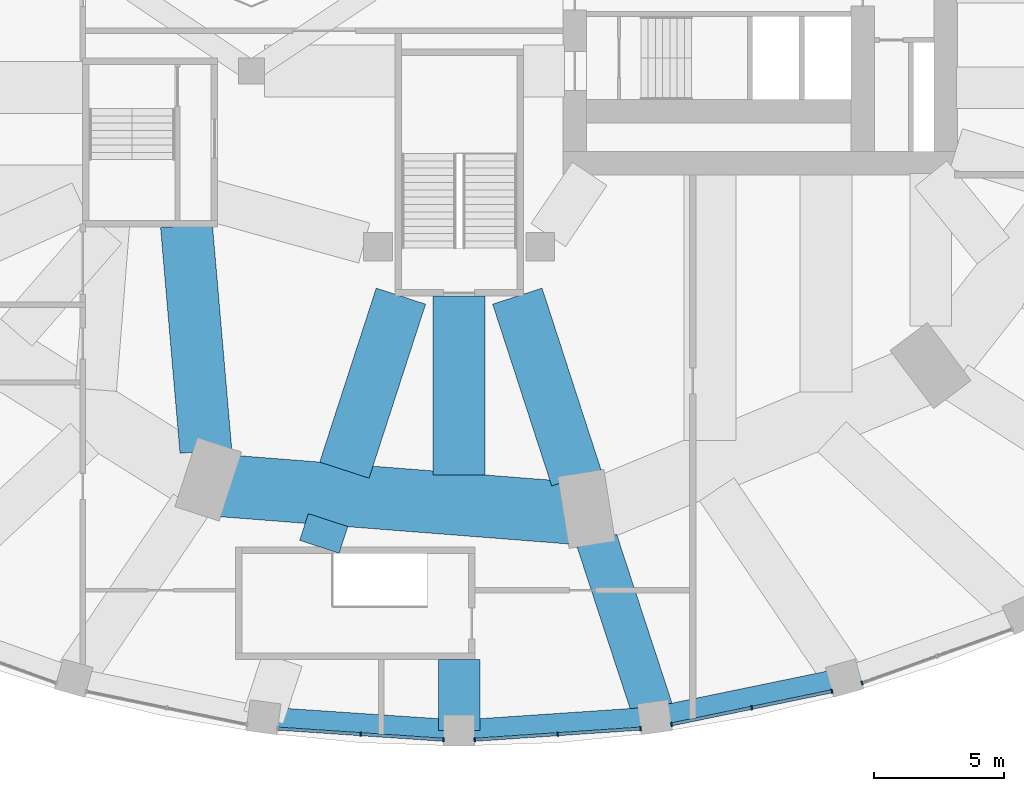
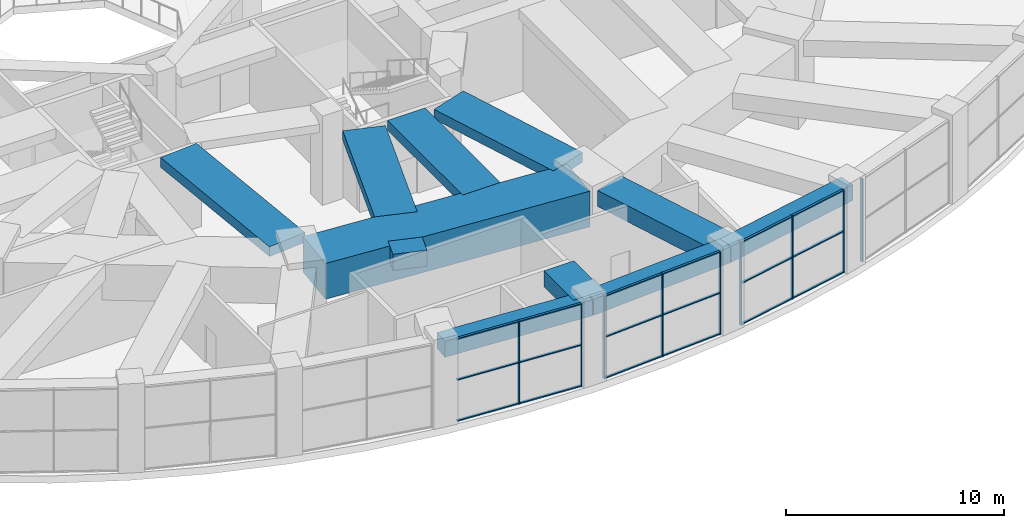
# One storey, part 5 of 30: 27 members, 11 beams, 4 elements without a shape of their own.
"""IFC4 building model written with IfcOpenShell, lengths in metres."""

from ifc_helpers import new_model, si_unit, direction, frame, origin, origin_2d, place, context, subcontext, project, spatial, rectangle, extrude, material, material_profile, profile_set, type_object, element, aggregate, save


model = new_model("IFC4")

# Units and contexts
model_context = context("Model", 3, precision=1e-05, world=origin(), true_north=direction((0.0, 1.0)))
body_context = subcontext(model_context, "Body", "Model", "MODEL_VIEW")
ifc_project = project(units=[si_unit("LENGTHUNIT", "METRE"), si_unit("AREAUNIT", "SQUARE_METRE"), si_unit("VOLUMEUNIT", "CUBIC_METRE"), si_unit("PLANEANGLEUNIT", "RADIAN"), si_unit("MASSUNIT", "GRAM", prefix="KILO")], contexts=[model_context])

# Site, building, storey
site_placement = place(None, origin())
site = spatial("IfcSite", under=ifc_project, at=site_placement, CompositionType="ELEMENT")
building_placement = place(site_placement, origin())
building = spatial("IfcBuilding", under=site, at=building_placement, Name="Taillehof Tower", CompositionType="ELEMENT")
storey_placement = place(building_placement, frame((0.0, 0.0, 12.5)))
storey = spatial("IfcBuildingStorey", under=building, at=storey_placement, Name="L02", CompositionType="ELEMENT", Elevation=12.5)

# Beams
ifc_material_1 = material(Name="Concrete C50/60", Category="concrete")
ifc_material_profile_1 = material_profile(ifc_material_1, rectangle(XDim=0.800048828125, YDim=0.89990234375, at=origin_2d()), Name="RC 800x900")
ifc_profile_set_1 = profile_set([ifc_material_profile_1], Name="Concrete C50/60")
beam_type_1 = type_object("IfcBeamType", Name="Podium edge beam C50/60 800x900", PredefinedType="BEAM", material=ifc_profile_set_1)
for number, where, z_axis, x_axis, name in (
    (1, (-7.536376953125, -32.892578125, 4.199951171875), (0.997741900844, -0.067164717676, 0.0), (0.067164717676, 0.997741900844, 0.0), "Podium edge beam PB27"),
    (2, (0.0, -33.39990234375, 4.199951171875), (0.997741900844, 0.067164717676, 0.0), (-0.067164717676, 0.997741900844, 0.0), "Podium edge beam PB28"),
):
    element("IfcBeam", number, at=place(storey_placement, frame(where, z_axis=z_axis, x_axis=x_axis)), inside=storey, type_object=beam_type_1, Name=name, PredefinedType="BEAM", context=body_context, shape_type="SweptSolid", body=[
        extrude(rectangle(XDim=0.800048828125, YDim=0.89990234375, at=origin_2d()), origin(), (0.0, 0.0, 1.0), 7.553466796875),
    ])
beam_1_placement = place(storey_placement, frame((7.536376953125, -32.892578125, 4.199951171875), z_axis=(0.979394077534, 0.201958512797, 0.0), x_axis=(-0.201958512797, 0.979394077534, 0.0)))
element("IfcBeam", 3, at=beam_1_placement, inside=storey, type_object=beam_type_1, Name="Podium edge beam PB29", PredefinedType="BEAM", context=body_context, shape_type="SweptSolid", body=[
    extrude(rectangle(XDim=0.800048828125, YDim=0.89990234375, at=origin_2d()), origin(), (0.0, 0.0, 1.0), 7.461181640625),
])
ifc_material_2 = material(Name="Concrete C50/60", Category="concrete")
ifc_material_profile_2 = material_profile(ifc_material_2, rectangle(XDim=1.60009765625, YDim=0.89990234375, at=origin_2d()), Name="RC 1600x900")
ifc_profile_set_2 = profile_set([ifc_material_profile_2], Name="Concrete C50/60")
beam_type_2 = type_object("IfcBeamType", Name="Podium radial beam C50/60 1600x900", PredefinedType="BEAM", material=ifc_profile_set_2)
beam_2_placement = place(storey_placement, frame((-5.383544921875, -26.324951171875, 4.199951171875), z_axis=(0.311280012034, 0.950318238333, 0.0), x_axis=(-0.950318238333, 0.311280012034, 0.0)))
element("IfcBeam", 4, at=beam_2_placement, inside=storey, type_object=beam_type_2, Name="Podium radial beam PR27", PredefinedType="BEAM", context=body_context, shape_type="SweptSolid", body=[
    extrude(rectangle(XDim=1.60009765625, YDim=0.89990234375, at=origin_2d()), origin(), (0.0, 0.0, 1.0), 1.08154296875),
])
beam_3_placement = place(storey_placement, frame((0.0, -33.39990234375, 4.199951171875), z_axis=(0.0, 1.0, 0.0), x_axis=(-1.0, 0.0, 0.0)))
element("IfcBeam", 5, at=beam_3_placement, inside=storey, type_object=beam_type_2, Name="Podium radial beam PR28", PredefinedType="BEAM", context=body_context, shape_type="SweptSolid", body=[
    extrude(rectangle(XDim=1.60009765625, YDim=0.89990234375, at=origin_2d()), origin(), (0.0, 0.0, 1.0), 2.724853515625),
])
beam_4_placement = place(storey_placement, frame((7.536376953125, -32.892578125, 4.199951171875), z_axis=(-0.311476972049, 0.9502537008, 0.0), x_axis=(-0.9502537008, -0.311476972049, 0.0)))
element("IfcBeam", 6, at=beam_4_placement, inside=storey, type_object=beam_type_2, Name="Podium radial beam PR29", PredefinedType="BEAM", context=body_context, shape_type="SweptSolid", body=[
    extrude(rectangle(XDim=1.60009765625, YDim=0.89990234375, at=origin_2d()), origin(), (0.0, 0.0, 1.0), 7.159423828125),
])

# Curtain wall, members
ifc_material_3 = material(Name="Aluminium curtain wall with Clear low-emissivity double glazing", Category="aluminium")
curtain_wall_type = type_object("IfcCurtainWallType", Name="Podium window wall curtain wall", PredefinedType="USERDEFINED", material=ifc_material_3)
curtain_wall_1_placement = place(storey_placement, origin())
curtain_wall_1 = element("IfcCurtainWall", 7, at=curtain_wall_1_placement, inside=storey, type_object=curtain_wall_type, Name="Podium window wall L02 bay 27", ObjectType="WINDOW WALL", PredefinedType="USERDEFINED")
ifc_material_4 = material(Name="Aluminium mullion", Category="aluminium")
ifc_material_profile_3 = material_profile(ifc_material_4, rectangle(XDim=0.159912109375, YDim=0.06005859375, at=origin_2d()), Name="AL 60x160")
ifc_profile_set_3 = profile_set([ifc_material_profile_3], Name="Aluminium mullion")
member_type_1 = type_object("IfcMemberType", Name="Podium window wall mullion 60x160", PredefinedType="MULLION", material=ifc_profile_set_3)
member_1_placement = place(storey_placement, frame((-3.795166015625, -33.5439453125, 0.0), z_axis=(0.0, 0.0, 1.0), x_axis=(0.067182989977, 0.997740670644, 0.0)))
member_1 = element("IfcMember", 8, at=member_1_placement, type_object=member_type_1, Name="CT227 mullion 2", PredefinedType="MULLION", context=body_context, shape_type="SweptSolid", body=[
    extrude(rectangle(XDim=0.159912109375, YDim=0.06005859375, at=origin_2d()), origin(), (0.0, 0.0, 1.0), 4.64990234375),
])
member_2_placement = place(storey_placement, frame((-0.60009765625, -33.759033203125, 0.0), z_axis=(0.0, 0.0, 1.0), x_axis=(0.067182989977, 0.997740670644, 0.0)))
member_2 = element("IfcMember", 9, at=member_2_placement, type_object=member_type_1, Name="CT227 mullion 3", PredefinedType="MULLION", context=body_context, shape_type="SweptSolid", body=[
    extrude(rectangle(XDim=0.159912109375, YDim=0.06005859375, at=origin_2d()), origin(), (0.0, 0.0, 1.0), 4.64990234375),
])

curtain_wall_2_placement = place(storey_placement, origin())
curtain_wall_2 = element("IfcCurtainWall", 10, at=curtain_wall_2_placement, inside=storey, type_object=curtain_wall_type, Name="Podium window wall L02 bay 28", ObjectType="WINDOW WALL", PredefinedType="USERDEFINED")
member_3_placement = place(storey_placement, frame((0.60009765625, -33.759033203125, 0.0), z_axis=(0.0, 0.0, 1.0), x_axis=(-0.067182989977, 0.997740670644, 0.0)))
member_3 = element("IfcMember", 11, at=member_3_placement, type_object=member_type_1, Name="CT228 mullion 1", PredefinedType="MULLION", context=body_context, shape_type="SweptSolid", body=[
    extrude(rectangle(XDim=0.159912109375, YDim=0.06005859375, at=origin_2d()), origin(), (0.0, 0.0, 1.0), 4.64990234375),
])
member_4_placement = place(storey_placement, frame((3.795166015625, -33.5439453125, 0.0), z_axis=(0.0, 0.0, 1.0), x_axis=(-0.067182989977, 0.997740670644, 0.0)))
member_4 = element("IfcMember", 12, at=member_4_placement, type_object=member_type_1, Name="CT228 mullion 2", PredefinedType="MULLION", context=body_context, shape_type="SweptSolid", body=[
    extrude(rectangle(XDim=0.159912109375, YDim=0.06005859375, at=origin_2d()), origin(), (0.0, 0.0, 1.0), 4.64990234375),
])
member_5_placement = place(storey_placement, frame((6.990234375, -33.328857421875, 0.0), z_axis=(0.0, 0.0, 1.0), x_axis=(-0.067182989977, 0.997740670644, 0.0)))
member_5 = element("IfcMember", 13, at=member_5_placement, type_object=member_type_1, Name="CT228 mullion 3", PredefinedType="MULLION", context=body_context, shape_type="SweptSolid", body=[
    extrude(rectangle(XDim=0.159912109375, YDim=0.06005859375, at=origin_2d()), origin(), (0.0, 0.0, 1.0), 4.64990234375),
])

curtain_wall_3_placement = place(storey_placement, origin())
curtain_wall_3 = element("IfcCurtainWall", 14, at=curtain_wall_3_placement, inside=storey, type_object=curtain_wall_type, Name="Podium window wall L02 bay 29", ObjectType="WINDOW WALL", PredefinedType="USERDEFINED")
member_6_placement = place(storey_placement, frame((8.17919921875, -33.1669921875, 0.0), z_axis=(0.0, 0.0, 1.0), x_axis=(-0.201976001877, 0.97939047099, 0.0)))
member_6 = element("IfcMember", 15, at=member_6_placement, type_object=member_type_1, Name="CT229 mullion 1", PredefinedType="MULLION", context=body_context, shape_type="SweptSolid", body=[
    extrude(rectangle(XDim=0.159912109375, YDim=0.06005859375, at=origin_2d()), origin(), (0.0, 0.0, 1.0), 4.64990234375),
])
member_7_placement = place(storey_placement, frame((11.27099609375, -32.529296875, 0.0), z_axis=(0.0, 0.0, 1.0), x_axis=(-0.201976001877, 0.97939047099, 0.0)))
member_7 = element("IfcMember", 16, at=member_7_placement, type_object=member_type_1, Name="CT229 mullion 2", PredefinedType="MULLION", context=body_context, shape_type="SweptSolid", body=[
    extrude(rectangle(XDim=0.159912109375, YDim=0.06005859375, at=origin_2d()), origin(), (0.0, 0.0, 1.0), 4.64990234375),
])
member_8_placement = place(storey_placement, frame((14.36279296875, -31.891845703125, 0.0), z_axis=(0.0, 0.0, 1.0), x_axis=(-0.201976001877, 0.97939047099, 0.0)))
member_8 = element("IfcMember", 17, at=member_8_placement, type_object=member_type_1, Name="CT229 mullion 3", PredefinedType="MULLION", context=body_context, shape_type="SweptSolid", body=[
    extrude(rectangle(XDim=0.159912109375, YDim=0.06005859375, at=origin_2d()), origin(), (0.0, 0.0, 1.0), 4.64990234375),
])

# Curtain wall, member
curtain_wall_4_placement = place(storey_placement, origin())
curtain_wall_4 = element("IfcCurtainWall", 18, at=curtain_wall_4_placement, inside=storey, type_object=curtain_wall_type, Name="Podium window wall L02 bay 30", ObjectType="WINDOW WALL", PredefinedType="USERDEFINED")
member_9_placement = place(storey_placement, frame((15.51806640625, -31.567138671875, 0.0), z_axis=(0.0, 0.0, 1.0), x_axis=(-0.337798502496, 0.94121845058, 0.0)))
member_9 = element("IfcMember", 19, at=member_9_placement, type_object=member_type_1, Name="CT230 mullion 1", PredefinedType="MULLION", context=body_context, shape_type="SweptSolid", body=[
    extrude(rectangle(XDim=0.159912109375, YDim=0.06005859375, at=origin_2d()), origin(), (0.0, 0.0, 1.0), 4.64990234375),
])
aggregate(curtain_wall_4, [member_9])

# Member
ifc_material_5 = material(Name="Aluminium transom", Category="aluminium")
ifc_material_profile_4 = material_profile(ifc_material_5, rectangle(XDim=0.1201171875, YDim=0.06005859375, at=origin_2d()), Name="AL 120x60")
ifc_profile_set_4 = profile_set([ifc_material_profile_4], Name="Aluminium transom")
member_type_2 = type_object("IfcMemberType", Name="Podium window wall transom 120x60", PredefinedType="USERDEFINED", material=ifc_profile_set_4)
member_10_placement = place(storey_placement, frame((-6.960205078125, -33.330810546875, 0.030029296875), z_axis=(0.997739199903, -0.067204828525, 0.0), x_axis=(0.067204828525, 0.997739199903, 0.0)))
member_10 = element("IfcMember", 20, at=member_10_placement, type_object=member_type_2, Name="CT227 transom 1.1", ObjectType="TRANSOM", PredefinedType="USERDEFINED", context=body_context, shape_type="SweptSolid", body=[
    extrude(rectangle(XDim=0.1201171875, YDim=0.06005859375, at=origin_2d()), origin(), (0.0, 0.0, 1.0), 3.142333984375),
])

member_11_placement = place(storey_placement, frame((-6.960205078125, -33.330810546875, 2.324951171875), z_axis=(0.997739199903, -0.067204828525, 0.0), x_axis=(0.067204828525, 0.997739199903, 0.0)))
member_11 = element("IfcMember", 21, at=member_11_placement, type_object=member_type_2, Name="CT227 transom 1.2", ObjectType="TRANSOM", PredefinedType="USERDEFINED", context=body_context, shape_type="SweptSolid", body=[
    extrude(rectangle(XDim=0.1201171875, YDim=0.06005859375, at=origin_2d()), origin(), (0.0, 0.0, 1.0), 3.142333984375),
])

member_12_placement = place(storey_placement, frame((-6.960205078125, -33.330810546875, 4.6201171875), z_axis=(0.997739199903, -0.067204828525, 0.0), x_axis=(0.067204828525, 0.997739199903, 0.0)))
member_12 = element("IfcMember", 22, at=member_12_placement, type_object=member_type_2, Name="CT227 transom 1.3", ObjectType="TRANSOM", PredefinedType="USERDEFINED", context=body_context, shape_type="SweptSolid", body=[
    extrude(rectangle(XDim=0.1201171875, YDim=0.06005859375, at=origin_2d()), origin(), (0.0, 0.0, 1.0), 3.142333984375),
])

member_13_placement = place(storey_placement, frame((-3.76513671875, -33.5458984375, 0.030029296875), z_axis=(0.997739199903, -0.067204828525, 0.0), x_axis=(0.067204828525, 0.997739199903, 0.0)))
member_13 = element("IfcMember", 23, at=member_13_placement, type_object=member_type_2, Name="CT227 transom 2.1", ObjectType="TRANSOM", PredefinedType="USERDEFINED", context=body_context, shape_type="SweptSolid", body=[
    extrude(rectangle(XDim=0.1201171875, YDim=0.06005859375, at=origin_2d()), origin(), (0.0, 0.0, 1.0), 3.142333984375),
])

member_14_placement = place(storey_placement, frame((-3.76513671875, -33.5458984375, 2.324951171875), z_axis=(0.997739199903, -0.067204828525, 0.0), x_axis=(0.067204828525, 0.997739199903, 0.0)))
member_14 = element("IfcMember", 24, at=member_14_placement, type_object=member_type_2, Name="CT227 transom 2.2", ObjectType="TRANSOM", PredefinedType="USERDEFINED", context=body_context, shape_type="SweptSolid", body=[
    extrude(rectangle(XDim=0.1201171875, YDim=0.06005859375, at=origin_2d()), origin(), (0.0, 0.0, 1.0), 3.142333984375),
])

member_15_placement = place(storey_placement, frame((-3.76513671875, -33.5458984375, 4.6201171875), z_axis=(0.997739199903, -0.067204828525, 0.0), x_axis=(0.067204828525, 0.997739199903, 0.0)))
member_15 = element("IfcMember", 25, at=member_15_placement, type_object=member_type_2, Name="CT227 transom 2.3", ObjectType="TRANSOM", PredefinedType="USERDEFINED", context=body_context, shape_type="SweptSolid", body=[
    extrude(rectangle(XDim=0.1201171875, YDim=0.06005859375, at=origin_2d()), origin(), (0.0, 0.0, 1.0), 3.142333984375),
])

aggregate(curtain_wall_1, [member_1, member_2, member_10, member_11, member_12, member_13, member_14, member_15])

member_16_placement = place(storey_placement, frame((0.6298828125, -33.757080078125, 0.030029296875), z_axis=(0.997739199903, 0.067204828525, 0.0), x_axis=(-0.067204828525, 0.997739199903, 0.0)))
member_16 = element("IfcMember", 26, at=member_16_placement, type_object=member_type_2, Name="CT228 transom 1.1", ObjectType="TRANSOM", PredefinedType="USERDEFINED", context=body_context, shape_type="SweptSolid", body=[
    extrude(rectangle(XDim=0.1201171875, YDim=0.06005859375, at=origin_2d()), origin(), (0.0, 0.0, 1.0), 3.142333984375),
])

member_17_placement = place(storey_placement, frame((0.6298828125, -33.757080078125, 2.324951171875), z_axis=(0.997739199903, 0.067204828525, 0.0), x_axis=(-0.067204828525, 0.997739199903, 0.0)))
member_17 = element("IfcMember", 27, at=member_17_placement, type_object=member_type_2, Name="CT228 transom 1.2", ObjectType="TRANSOM", PredefinedType="USERDEFINED", context=body_context, shape_type="SweptSolid", body=[
    extrude(rectangle(XDim=0.1201171875, YDim=0.06005859375, at=origin_2d()), origin(), (0.0, 0.0, 1.0), 3.142333984375),
])

member_18_placement = place(storey_placement, frame((0.6298828125, -33.757080078125, 4.6201171875), z_axis=(0.997739199903, 0.067204828525, 0.0), x_axis=(-0.067204828525, 0.997739199903, 0.0)))
member_18 = element("IfcMember", 28, at=member_18_placement, type_object=member_type_2, Name="CT228 transom 1.3", ObjectType="TRANSOM", PredefinedType="USERDEFINED", context=body_context, shape_type="SweptSolid", body=[
    extrude(rectangle(XDim=0.1201171875, YDim=0.06005859375, at=origin_2d()), origin(), (0.0, 0.0, 1.0), 3.142333984375),
])

member_19_placement = place(storey_placement, frame((3.824951171875, -33.5419921875, 0.030029296875), z_axis=(0.997739199903, 0.067204828525, 0.0), x_axis=(-0.067204828525, 0.997739199903, 0.0)))
member_19 = element("IfcMember", 29, at=member_19_placement, type_object=member_type_2, Name="CT228 transom 2.1", ObjectType="TRANSOM", PredefinedType="USERDEFINED", context=body_context, shape_type="SweptSolid", body=[
    extrude(rectangle(XDim=0.1201171875, YDim=0.06005859375, at=origin_2d()), origin(), (0.0, 0.0, 1.0), 3.142333984375),
])

member_20_placement = place(storey_placement, frame((3.824951171875, -33.5419921875, 2.324951171875), z_axis=(0.997739199903, 0.067204828525, 0.0), x_axis=(-0.067204828525, 0.997739199903, 0.0)))
member_20 = element("IfcMember", 30, at=member_20_placement, type_object=member_type_2, Name="CT228 transom 2.2", ObjectType="TRANSOM", PredefinedType="USERDEFINED", context=body_context, shape_type="SweptSolid", body=[
    extrude(rectangle(XDim=0.1201171875, YDim=0.06005859375, at=origin_2d()), origin(), (0.0, 0.0, 1.0), 3.142333984375),
])

member_21_placement = place(storey_placement, frame((3.824951171875, -33.5419921875, 4.6201171875), z_axis=(0.997739199903, 0.067204828525, 0.0), x_axis=(-0.067204828525, 0.997739199903, 0.0)))
member_21 = element("IfcMember", 31, at=member_21_placement, type_object=member_type_2, Name="CT228 transom 2.3", ObjectType="TRANSOM", PredefinedType="USERDEFINED", context=body_context, shape_type="SweptSolid", body=[
    extrude(rectangle(XDim=0.1201171875, YDim=0.06005859375, at=origin_2d()), origin(), (0.0, 0.0, 1.0), 3.142333984375),
])

aggregate(curtain_wall_2, [member_3, member_4, member_5, member_16, member_17, member_18, member_19, member_20, member_21])

member_22_placement = place(storey_placement, frame((8.208740234375, -33.160888671875, 0.030029296875), z_axis=(0.979389666619, 0.201979902268, 0.0), x_axis=(-0.201979902268, 0.979389666619, 0.0)))
member_22 = element("IfcMember", 32, at=member_22_placement, type_object=member_type_2, Name="CT229 transom 1.1", ObjectType="TRANSOM", PredefinedType="USERDEFINED", context=body_context, shape_type="SweptSolid", body=[
    extrude(rectangle(XDim=0.1201171875, YDim=0.06005859375, at=origin_2d()), origin(), (0.0, 0.0, 1.0), 3.0966796875),
])

member_23_placement = place(storey_placement, frame((8.208740234375, -33.160888671875, 2.324951171875), z_axis=(0.979389666619, 0.201979902268, 0.0), x_axis=(-0.201979902268, 0.979389666619, 0.0)))
member_23 = element("IfcMember", 33, at=member_23_placement, type_object=member_type_2, Name="CT229 transom 1.2", ObjectType="TRANSOM", PredefinedType="USERDEFINED", context=body_context, shape_type="SweptSolid", body=[
    extrude(rectangle(XDim=0.1201171875, YDim=0.06005859375, at=origin_2d()), origin(), (0.0, 0.0, 1.0), 3.0966796875),
])

member_24_placement = place(storey_placement, frame((8.208740234375, -33.160888671875, 4.6201171875), z_axis=(0.979389666619, 0.201979902268, 0.0), x_axis=(-0.201979902268, 0.979389666619, 0.0)))
member_24 = element("IfcMember", 34, at=member_24_placement, type_object=member_type_2, Name="CT229 transom 1.3", ObjectType="TRANSOM", PredefinedType="USERDEFINED", context=body_context, shape_type="SweptSolid", body=[
    extrude(rectangle(XDim=0.1201171875, YDim=0.06005859375, at=origin_2d()), origin(), (0.0, 0.0, 1.0), 3.0966796875),
])

member_25_placement = place(storey_placement, frame((11.30029296875, -32.5234375, 0.030029296875), z_axis=(0.979389666619, 0.201979902268, 0.0), x_axis=(-0.201979902268, 0.979389666619, 0.0)))
member_25 = element("IfcMember", 35, at=member_25_placement, type_object=member_type_2, Name="CT229 transom 2.1", ObjectType="TRANSOM", PredefinedType="USERDEFINED", context=body_context, shape_type="SweptSolid", body=[
    extrude(rectangle(XDim=0.1201171875, YDim=0.06005859375, at=origin_2d()), origin(), (0.0, 0.0, 1.0), 3.0966796875),
])

member_26_placement = place(storey_placement, frame((11.30029296875, -32.5234375, 2.324951171875), z_axis=(0.979389666619, 0.201979902268, 0.0), x_axis=(-0.201979902268, 0.979389666619, 0.0)))
member_26 = element("IfcMember", 36, at=member_26_placement, type_object=member_type_2, Name="CT229 transom 2.2", ObjectType="TRANSOM", PredefinedType="USERDEFINED", context=body_context, shape_type="SweptSolid", body=[
    extrude(rectangle(XDim=0.1201171875, YDim=0.06005859375, at=origin_2d()), origin(), (0.0, 0.0, 1.0), 3.0966796875),
])

member_27_placement = place(storey_placement, frame((11.30029296875, -32.5234375, 4.6201171875), z_axis=(0.979389666619, 0.201979902268, 0.0), x_axis=(-0.201979902268, 0.979389666619, 0.0)))
member_27 = element("IfcMember", 37, at=member_27_placement, type_object=member_type_2, Name="CT229 transom 2.3", ObjectType="TRANSOM", PredefinedType="USERDEFINED", context=body_context, shape_type="SweptSolid", body=[
    extrude(rectangle(XDim=0.1201171875, YDim=0.06005859375, at=origin_2d()), origin(), (0.0, 0.0, 1.0), 3.0966796875),
])

aggregate(curtain_wall_3, [member_6, member_7, member_8, member_22, member_23, member_24, member_25, member_26, member_27])

# Beams
ifc_material_6 = material(Name="Concrete C50/60", Category="concrete")
ifc_material_profile_5 = material_profile(ifc_material_6, rectangle(XDim=2.0, YDim=0.550048828125, at=origin_2d()), Name="RC 2000x550")
ifc_profile_set_5 = profile_set([ifc_material_profile_5], Name="Concrete C50/60")
beam_type_3 = type_object("IfcBeamType", Name="Radial band beam C50/60 2000x550", PredefinedType="BEAM", material=ifc_profile_set_5)
beam_5_placement = place(storey_placement, frame((-9.755859375, -22.637451171875, 4.375), z_axis=(-0.085846652558, 0.996308362027, 0.0), x_axis=(-0.996308362027, -0.085846652558, 0.0)))
element("IfcBeam", 38, at=beam_5_placement, inside=storey, type_object=beam_type_3, Name="Radial band beam RB26", PredefinedType="BEAM", context=body_context, shape_type="SweptSolid", body=[
    extrude(rectangle(XDim=2.0, YDim=0.550048828125, at=origin_2d()), origin(), (0.0, 0.0, 1.0), 8.719482421875),
])
beam_6_placement = place(storey_placement, frame((-4.420166015625, -23.372314453125, 4.375), z_axis=(0.309016354493, 0.951056724205, 0.0), x_axis=(-0.951056724205, 0.309016354493, 0.0)))
element("IfcBeam", 39, at=beam_6_placement, inside=storey, type_object=beam_type_3, Name="Radial band beam RB27", PredefinedType="BEAM", context=body_context, shape_type="SweptSolid", body=[
    extrude(rectangle(XDim=2.0, YDim=0.550048828125, at=origin_2d()), origin(), (0.0, 0.0, 1.0), 7.04736328125),
])
beam_7_placement = place(storey_placement, frame((0.0, -23.5634765625, 4.375), z_axis=(0.0, 1.0, 0.0), x_axis=(-1.0, 0.0, 0.0)))
element("IfcBeam", 40, at=beam_7_placement, inside=storey, type_object=beam_type_3, Name="Radial band beam RB28", PredefinedType="BEAM", context=body_context, shape_type="SweptSolid", body=[
    extrude(rectangle(XDim=2.0, YDim=0.550048828125, at=origin_2d()), origin(), (0.0, 0.0, 1.0), 6.8935546875),
])
beam_8_placement = place(storey_placement, frame((4.517578125, -23.672607421875, 4.375), z_axis=(-0.30899685064, 0.951063061156, 0.0), x_axis=(-0.951063061156, -0.30899685064, 0.0)))
element("IfcBeam", 41, at=beam_8_placement, inside=storey, type_object=beam_type_3, Name="Radial band beam RB29", PredefinedType="BEAM", context=body_context, shape_type="SweptSolid", body=[
    extrude(rectangle(XDim=2.0, YDim=0.550048828125, at=origin_2d()), origin(), (0.0, 0.0, 1.0), 7.363037109375),
])
ifc_material_7 = material(Name="Concrete C80/95", Category="concrete")
ifc_material_profile_6 = material_profile(ifc_material_7, rectangle(XDim=2.39990234375, YDim=2.0, at=origin_2d()), Name="RC 2400x2000")
ifc_profile_set_6 = profile_set([ifc_material_profile_6], Name="Concrete C80/95")
beam_type_4 = type_object("IfcBeamType", Name="Transfer girder C80/95 2400x2000", PredefinedType="BEAM", material=ifc_profile_set_6)
beam_9_placement = place(storey_placement, frame((-9.096435546875, -23.97216796875, 3.64990234375), z_axis=(0.996956696893, -0.077957324999, 0.0), x_axis=(0.077957324999, 0.996956696893, 0.0)))
element("IfcBeam", 42, at=beam_9_placement, inside=storey, type_object=beam_type_4, Name="Transfer girder TG09", PredefinedType="BEAM", context=body_context, shape_type="SweptSolid", body=[
    extrude(rectangle(XDim=2.39990234375, YDim=2.0, at=origin_2d()), origin(), (0.0, 0.0, 1.0), 13.444580078125),
])

save(model, "model.ifc")
